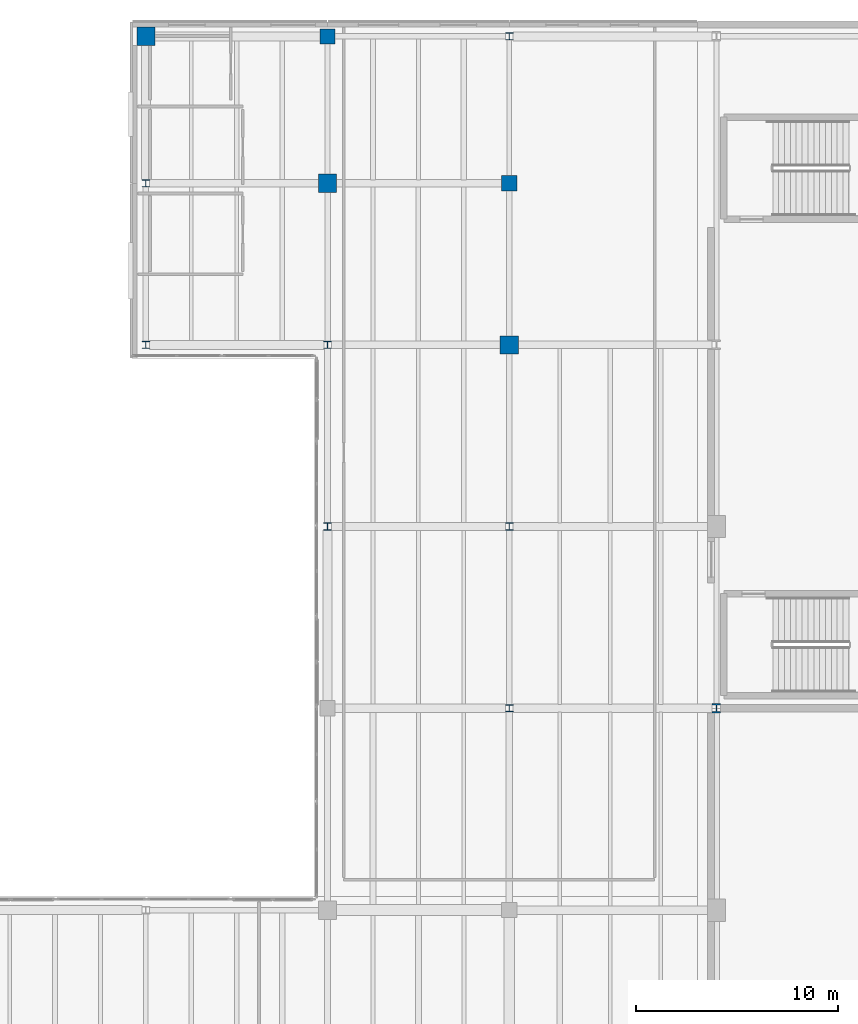
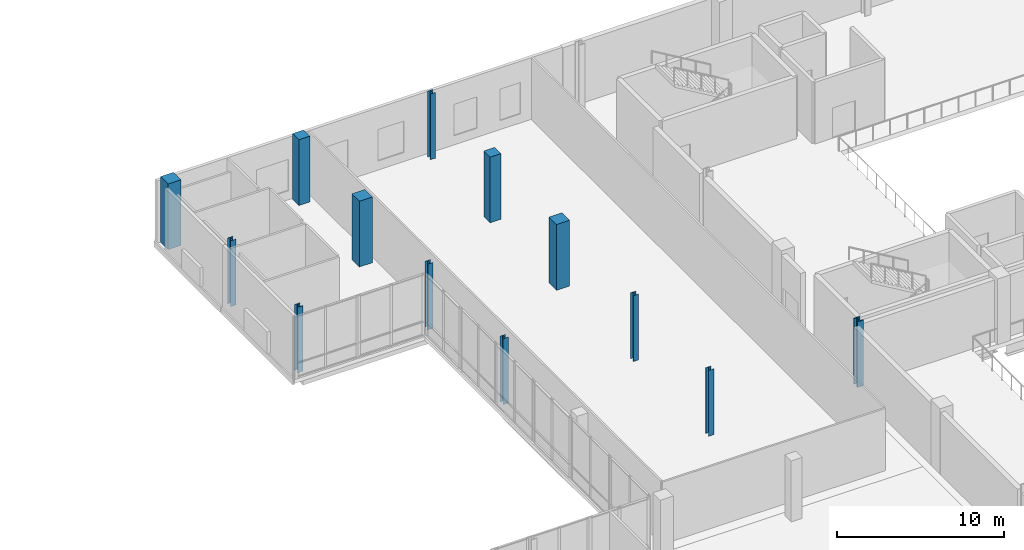
# One storey, part 5 of 41: 13 columns.
"""IFC4 building model written with IfcOpenShell, lengths in metres."""

from ifc_helpers import new_model, si_unit, direction, frame, origin, origin_2d, place, context, subcontext, project, spatial, rectangle, i_section, extrude, material, material_profile, profile_set, type_object, element, save


model = new_model("IFC4")

# Units and contexts
model_context = context("Model", 3, precision=1e-05, world=origin(), true_north=direction((0.0, 1.0)))
body_context = subcontext(model_context, "Body", "Model", "MODEL_VIEW")
ifc_project = project(units=[si_unit("LENGTHUNIT", "METRE"), si_unit("AREAUNIT", "SQUARE_METRE"), si_unit("VOLUMEUNIT", "CUBIC_METRE"), si_unit("PLANEANGLEUNIT", "RADIAN"), si_unit("MASSUNIT", "GRAM", prefix="KILO")], contexts=[model_context])

# Site, building, storey
site_placement = place(None, origin())
site = spatial("IfcSite", under=ifc_project, at=site_placement, CompositionType="ELEMENT")
building_placement = place(site_placement, origin())
building = spatial("IfcBuilding", under=site, at=building_placement, Name="Trimount Lyric Opera House", CompositionType="ELEMENT")
storey_placement = place(building_placement, frame((0.0, 0.0, 20.0)))
storey = spatial("IfcBuildingStorey", under=building, at=storey_placement, Name="L04", CompositionType="ELEMENT", Elevation=20.0)

# Columns
ifc_material_1 = material(Name="Steel ASTM A992 Grade 50", Category="steel")
ifc_material_profile_1 = material_profile(ifc_material_1, i_section(OverallWidth=0.422119140625, OverallDepth=0.465087890625, WebThickness=0.044921875, FlangeThickness=0.072509765625, FilletRadius=0.02001953125, at=origin_2d()), Name="W14X398")
ifc_profile_set_1 = profile_set([ifc_material_profile_1], Name="Steel ASTM A992 Grade 50")
column_type_1 = type_object("IfcColumnType", Name="C-01", PredefinedType="COLUMN", material=ifc_profile_set_1)
column_placement = place(storey_placement, frame((64.260009765625, 84.0, 0.0), z_axis=(0.0, 0.0, 1.0), x_axis=(1.0, 0.0, 0.0)))
element("IfcColumn", 1, at=column_placement, inside=storey, type_object=column_type_1, Name="L04 column 8/K", PredefinedType="COLUMN", context=body_context, shape_type="SweptSolid", body=[
    extrude(i_section(OverallWidth=0.422119140625, OverallDepth=0.465087890625, WebThickness=0.044921875, FlangeThickness=0.072509765625, FilletRadius=0.02001953125, at=origin_2d()), origin(), (0.0, 0.0, 1.0), 4.800048828125),
])
ifc_material_2 = material(Name="Steel ASTM A992 Grade 50", Category="steel")
ifc_material_profile_2 = material_profile(ifc_material_2, i_section(OverallWidth=0.367919921875, OverallDepth=0.35595703125, WebThickness=0.01123046875, FlangeThickness=0.01806640625, FilletRadius=0.014892578125, at=origin_2d()), Name="W14X90")
ifc_profile_set_2 = profile_set([ifc_material_profile_2], Name="Steel ASTM A992 Grade 50")
column_type_2 = type_object("IfcColumnType", Name="C-05", PredefinedType="COLUMN", material=ifc_profile_set_2)
for number, where, z_axis, x_axis, name in (
    (2, (36.0, 110.0, 0.0), (0.0, 0.0, 1.0), (1.0, 0.0, 0.0), "L04 column 5/N"),
    (3, (45.0, 102.0, 0.0), (0.0, 0.0, 1.0), (1.0, 0.0, 0.0), "L04 column 6/M"),
    (4, (54.0, 93.0, 0.0), (0.0, 0.0, 1.0), (1.0, 0.0, 0.0), "L04 column 7/L"),
):
    element("IfcColumn", number, at=place(storey_placement, frame(where, z_axis=z_axis, x_axis=x_axis)), inside=storey, type_object=column_type_2, Name=name, PredefinedType="COLUMN", context=body_context, shape_type="SweptSolid", body=[
        extrude(i_section(OverallWidth=0.367919921875, OverallDepth=0.35595703125, WebThickness=0.01123046875, FlangeThickness=0.01806640625, FilletRadius=0.014892578125, at=origin_2d()), origin(), (0.0, 0.0, 1.0), 4.800048828125),
    ])
ifc_material_3 = material(Name="Steel ASTM A992 Grade 50", Category="steel")
ifc_material_profile_3 = material_profile(ifc_material_3, i_section(OverallWidth=0.367919921875, OverallDepth=0.35595703125, WebThickness=0.01123046875, FlangeThickness=0.01806640625, FilletRadius=0.014892578125, at=origin_2d()), Name="W14X90")
ifc_profile_set_3 = profile_set([ifc_material_profile_3], Name="Steel ASTM A992 Grade 50")
column_type_3 = type_object("IfcColumnType", Name="C-09", PredefinedType="COLUMN", material=ifc_profile_set_3)
for number, where, z_axis, x_axis, name in (
    (5, (36.0, 102.0, 0.0), (0.0, 0.0, 1.0), (1.0, 0.0, 0.0), "L04 column 5/M"),
    (6, (45.0, 93.0, 0.0), (0.0, 0.0, 1.0), (1.0, 0.0, 0.0), "L04 column 6/L"),
    (7, (54.0, 84.0, 0.0), (0.0, 0.0, 1.0), (1.0, 0.0, 0.0), "L04 column 7/K"),
    (8, (54.0, 117.280029296875, 0.0), (0.0, 0.0, 1.0), (1.0, 0.0, 0.0), "L04 column 7/P"),
):
    element("IfcColumn", number, at=place(storey_placement, frame(where, z_axis=z_axis, x_axis=x_axis)), inside=storey, type_object=column_type_3, Name=name, PredefinedType="COLUMN", context=body_context, shape_type="SweptSolid", body=[
        extrude(i_section(OverallWidth=0.367919921875, OverallDepth=0.35595703125, WebThickness=0.01123046875, FlangeThickness=0.01806640625, FilletRadius=0.014892578125, at=origin_2d()), origin(), (0.0, 0.0, 1.0), 4.800048828125),
    ])
ifc_material_4 = material(Name="Concrete C50/60", Category="concrete")
ifc_material_profile_4 = material_profile(ifc_material_4, rectangle(XDim=0.89990234375, YDim=0.89990234375, at=origin_2d()), Name="RC900X900")
ifc_profile_set_4 = profile_set([ifc_material_profile_4], Name="Concrete C50/60")
column_type_4 = type_object("IfcColumnType", Name="C-13", PredefinedType="COLUMN", material=ifc_profile_set_4)
for number, where, z_axis, x_axis, name in (
    (9, (36.0, 117.280029296875, 0.0), (0.0, 0.0, 1.0), (1.0, 0.0, 0.0), "L04 column 5/P"),
    (10, (45.0, 110.0, 0.0), (0.0, 0.0, 1.0), (1.0, 0.0, 0.0), "L04 column 6/N"),
    (11, (54.0, 102.0, 0.0), (0.0, 0.0, 1.0), (1.0, 0.0, 0.0), "L04 column 7/M"),
):
    element("IfcColumn", number, at=place(storey_placement, frame(where, z_axis=z_axis, x_axis=x_axis)), inside=storey, type_object=column_type_4, Name=name, PredefinedType="COLUMN", context=body_context, shape_type="SweptSolid", body=[
        extrude(rectangle(XDim=0.89990234375, YDim=0.89990234375, at=origin_2d()), origin(), (0.0, 0.0, 1.0), 4.800048828125),
    ])
ifc_material_5 = material(Name="Concrete C40/50", Category="concrete")
ifc_material_profile_5 = material_profile(ifc_material_5, rectangle(XDim=0.75, YDim=0.75, at=origin_2d()), Name="RC750X750")
ifc_profile_set_5 = profile_set([ifc_material_profile_5], Name="Concrete C40/50")
column_type_5 = type_object("IfcColumnType", Name="C-15", PredefinedType="COLUMN", material=ifc_profile_set_5)
for number, where, z_axis, x_axis, name in (
    (12, (45.0, 117.280029296875, 0.0), (0.0, 0.0, 1.0), (1.0, 0.0, 0.0), "L04 column 6/P"),
    (13, (54.0, 110.0, 0.0), (0.0, 0.0, 1.0), (1.0, 0.0, 0.0), "L04 column 7/N"),
):
    element("IfcColumn", number, at=place(storey_placement, frame(where, z_axis=z_axis, x_axis=x_axis)), inside=storey, type_object=column_type_5, Name=name, PredefinedType="COLUMN", context=body_context, shape_type="SweptSolid", body=[
        extrude(rectangle(XDim=0.75, YDim=0.75, at=origin_2d()), origin(), (0.0, 0.0, 1.0), 4.800048828125),
    ])

save(model, "model.ifc")
